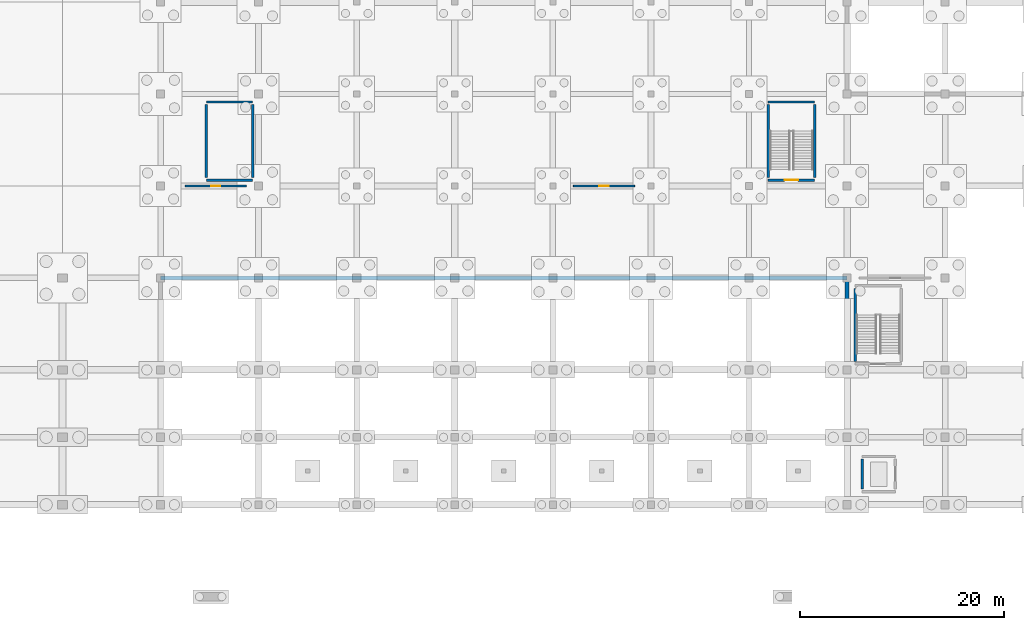
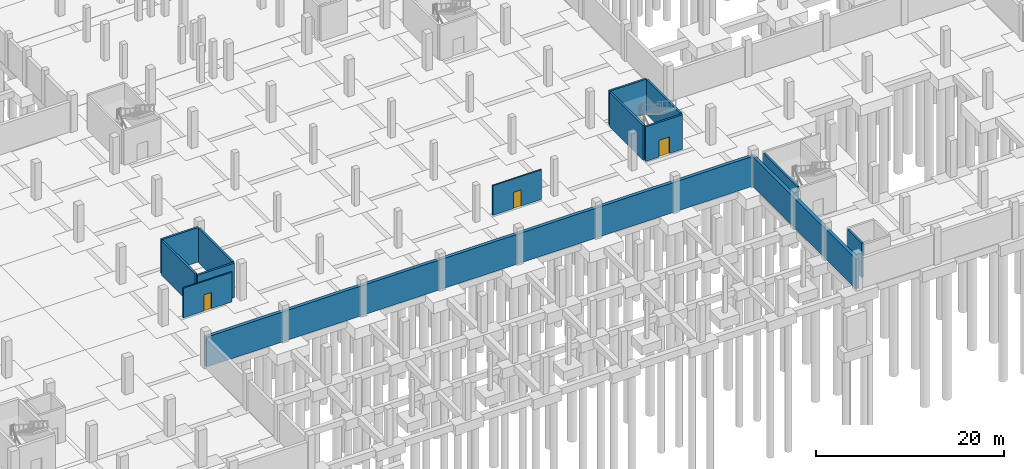
# One storey, part 27 of 39: 14 walls, 3 doors, 3 openings.
"""IFC4 building model written with IfcOpenShell, lengths in metres."""

from ifc_helpers import new_model, si_unit, direction, frame, frame_2d, origin, place, context, subcontext, project, spatial, rectangle, extrude, material, layer, layer_set, type_object, element, fill, save


model = new_model("IFC4")

# Units and contexts
model_context = context("Model", 3, precision=1e-05, world=origin(), true_north=direction((0.0, 1.0)))
body_context = subcontext(model_context, "Body", "Model", "MODEL_VIEW")
ifc_project = project(units=[si_unit("LENGTHUNIT", "METRE"), si_unit("AREAUNIT", "SQUARE_METRE"), si_unit("VOLUMEUNIT", "CUBIC_METRE"), si_unit("PLANEANGLEUNIT", "RADIAN"), si_unit("MASSUNIT", "GRAM", prefix="KILO")], contexts=[model_context])

# Site, building, storey
site_placement = place(None, origin())
site = spatial("IfcSite", under=ifc_project, at=site_placement, CompositionType="ELEMENT")
building_placement = place(site_placement, origin())
building = spatial("IfcBuilding", under=site, at=building_placement, Name="Zarnetskaya Central Station", CompositionType="ELEMENT")
storey_placement = place(building_placement, frame((0.0, 0.0, -4.800048828125)))
storey = spatial("IfcBuildingStorey", under=building, at=storey_placement, Name="B1", CompositionType="ELEMENT", Elevation=-4.800048828125)

# Wall, opening, door
ifc_material_1 = material(Name="Concrete C30/37", Category="concrete")
ifc_layer_1 = layer(ifc_material_1, 0.175048828125, Name="Concrete C30/37", Category="concrete")
ifc_layer_set_1 = layer_set([ifc_layer_1], Name="Concrete C30/37")
wall_type_1 = type_object("IfcWallType", Name="PART-PLNT-175", PredefinedType="PARTITIONING", material=ifc_layer_set_1)
wall_1_placement = place(storey_placement, frame((60.0, 31.199951171875, 0.0), z_axis=(0.0, 0.0, 1.0), x_axis=(1.0, 0.0, 0.0)))
wall_1 = element("IfcWall", 1, at=wall_1_placement, inside=storey, type_object=wall_type_1, Name="Interior partition IPRT-B1-0380", PredefinedType="PARTITIONING", context=body_context, shape_type="SweptSolid", body=[
    extrude(rectangle(XDim=6.0, YDim=0.175048828125, at=frame_2d((3.0, 0.0))), origin(), (0.0, 0.0, 1.0), 3.85009765625),
])
opening_1_placement = place(wall_1_placement, frame((2.5400390625, 0.0, 0.0)))
opening_1 = element("IfcOpeningElement", 2, at=opening_1_placement, cuts=wall_1, Name="Opening DR-09", PredefinedType="OPENING", context=body_context, shape_type="SweptSolid", body=[
    extrude(rectangle(XDim=0.919921875, YDim=2.10009765625, at=frame_2d((0.4599609375, 1.050048828125))), frame((0.0, 0.09765625, 0.0), z_axis=(0.0, -1.0, 0.0), x_axis=(1.0, 0.0, 0.0)), (0.0, 0.0, 1.0), 0.195068359375),
])
ifc_material_2 = material(Name="Anodised aluminium", Category="aluminium")
door_type_1 = type_object("IfcDoorType", Name="DR-INT-01", OperationType="NOTDEFINED", PredefinedType="DOOR", material=ifc_material_2)
door_1_placement = place(opening_1_placement, origin())
door_1 = element("IfcDoor", 3, at=door_1_placement, inside=storey, type_object=door_type_1, Name="District Heating and Chiller MEP Plant Room door", OperationType="SINGLE_SWING_RIGHT", OverallHeight=2.10009765625, OverallWidth=0.919921875, PredefinedType="DOOR", context=body_context, shape_type="SweptSolid", body=[
    extrude(rectangle(XDim=0.919921875, YDim=2.10009765625, at=frame_2d((0.4599609375, 1.050048828125))), frame((0.0, 0.02490234375, 0.0), z_axis=(0.0, -1.0, 0.0), x_axis=(1.0, 0.0, 0.0)), (0.0, 0.0, 1.0), 0.050048828125),
])
fill(opening_1, door_1)

wall_2_placement = place(storey_placement, frame((98.0, 31.199951171875, 0.0), z_axis=(0.0, 0.0, 1.0), x_axis=(1.0, 0.0, 0.0)))
wall_2 = element("IfcWall", 4, at=wall_2_placement, inside=storey, type_object=wall_type_1, Name="Interior partition IPRT-B1-0381", PredefinedType="PARTITIONING", context=body_context, shape_type="SweptSolid", body=[
    extrude(rectangle(XDim=6.0, YDim=0.175048828125, at=frame_2d((3.0, 0.0))), origin(), (0.0, 0.0, 1.0), 3.85009765625),
])
opening_2_placement = place(wall_2_placement, frame((2.52490234375, 0.0, 0.0)))
opening_2 = element("IfcOpeningElement", 5, at=opening_2_placement, cuts=wall_2, Name="Opening DR-16", PredefinedType="OPENING", context=body_context, shape_type="SweptSolid", body=[
    extrude(rectangle(XDim=0.949951171875, YDim=2.10009765625, at=frame_2d((0.47509765625, 1.050048828125))), frame((0.0, 0.09765625, 0.0), z_axis=(0.0, -1.0, 0.0), x_axis=(1.0, 0.0, 0.0)), (0.0, 0.0, 1.0), 0.195068359375),
])
door_type_2 = type_object("IfcDoorType", Name="DR-INT-02", OperationType="NOTDEFINED", PredefinedType="DOOR", material=ifc_material_2)
door_2_placement = place(opening_2_placement, origin())
door_2 = element("IfcDoor", 6, at=door_2_placement, inside=storey, type_object=door_type_2, Name="Sprinkler Pump and Fire Reserve Tank Plant Room door", OperationType="SINGLE_SWING_LEFT", OverallHeight=2.10009765625, OverallWidth=0.949951171875, PredefinedType="DOOR", context=body_context, shape_type="SweptSolid", body=[
    extrude(rectangle(XDim=0.949951171875, YDim=2.10009765625, at=frame_2d((0.47509765625, 1.050048828125))), frame((0.0, 0.02490234375, 0.0), z_axis=(0.0, -1.0, 0.0), x_axis=(1.0, 0.0, 0.0)), (0.0, 0.0, 1.0), 0.050048828125),
])
fill(opening_2, door_2)

# Walls
ifc_material_3 = material(Name="Concrete C35/45", Category="concrete")
ifc_layer_2 = layer(ifc_material_3, 0.39990234375, Name="Concrete C35/45", Category="concrete")
ifc_layer_set_2 = layer_set([ifc_layer_2], Name="Concrete C35/45")
wall_type_2 = type_object("IfcWallType", Name="WALL-RET-400", PredefinedType="USERDEFINED", material=ifc_layer_set_2)
wall_3_placement = place(storey_placement, frame((124.800048828125, 0.0, 0.0), z_axis=(0.0, 0.0, 1.0), x_axis=(0.0, 1.0, 0.0)))
element("IfcWall", 7, at=wall_3_placement, inside=storey, type_object=wall_type_2, Name="Basement perimeter retaining wall 11", ObjectType="RETAININGWALL", PredefinedType="USERDEFINED", context=body_context, shape_type="SweptSolid", body=[
    extrude(rectangle(XDim=22.199951171875, YDim=0.39990234375, at=frame_2d((11.10009765625, 0.0))), origin(), (0.0, 0.0, 1.0), 3.880126953125),
])
wall_4_placement = place(storey_placement, frame((124.800048828125, 22.199951171875, 0.0), z_axis=(0.0, 0.0, 1.0), x_axis=(-1.0, 0.0, 0.0)))
element("IfcWall", 8, at=wall_4_placement, inside=storey, type_object=wall_type_2, Name="Basement perimeter retaining wall 12", ObjectType="RETAININGWALL", PredefinedType="USERDEFINED", context=body_context, shape_type="SweptSolid", body=[
    extrude(rectangle(XDim=67.199951171875, YDim=0.39990234375, at=frame_2d((33.60009765625, 0.0))), origin(), (0.0, 0.0, 1.0), 3.880126953125),
])
ifc_layer_3 = layer(ifc_material_3, 0.239990234375, Name="Concrete C35/45", Category="concrete")
ifc_layer_set_3 = layer_set([ifc_layer_3], Name="Concrete C35/45")
wall_type_3 = type_object("IfcWallType", Name="WALL-SHFT-240", PredefinedType="SHEAR", material=ifc_layer_set_3)
wall_5_placement = place(storey_placement, frame((126.280029296875, 1.52001953125, 0.0), z_axis=(0.0, 0.0, 1.0), x_axis=(0.0, 1.0, 0.0)))
element("IfcWall", 9, at=wall_5_placement, inside=storey, type_object=wall_type_3, Name="Core shear wall WSHF-B1-0175", PredefinedType="SHEAR", context=body_context, shape_type="SweptSolid", body=[
    extrude(rectangle(XDim=2.9599609375, YDim=0.239990234375, at=frame_2d((1.47998046875, 0.0))), origin(), (0.0, 0.0, 1.0), 4.47998046875),
])
for number, where, z_axis, x_axis, name in (
    (10, (66.6201171875, 31.780029296875, 0.0), (0.0, 0.0, 1.0), (-1.0, 0.0, 0.0), "Core shear wall WSTR-B1-0269"),
    (11, (62.080078125, 39.419921875, 0.0), (0.0, 0.0, 1.0), (1.0, 0.0, 0.0), "Core shear wall WSTR-B1-0270"),
):
    element("IfcWall", number, at=place(storey_placement, frame(where, z_axis=z_axis, x_axis=x_axis)), inside=storey, type_object=wall_type_3, Name=name, PredefinedType="SHEAR", context=body_context, shape_type="SweptSolid", body=[
        extrude(rectangle(XDim=4.5400390625, YDim=0.239990234375, at=frame_2d((2.27001953125, 0.0))), origin(), (0.0, 0.0, 1.0), 4.47998046875),
    ])
for number, where, z_axis, x_axis, name in (
    (12, (62.080078125, 32.02001953125, 0.0), (0.0, 0.0, 1.0), (0.0, 1.0, 0.0), "Core shear wall WSTR-B1-0271"),
    (13, (66.6201171875, 39.179931640625, 0.0), (0.0, 0.0, 1.0), (0.0, -1.0, 0.0), "Core shear wall WSTR-B1-0272"),
    (14, (125.580078125, 14.02001953125, 0.0), (0.0, 0.0, 1.0), (0.0, 1.0, 0.0), "Core shear wall WSTR-B1-0287"),
):
    element("IfcWall", number, at=place(storey_placement, frame(where, z_axis=z_axis, x_axis=x_axis)), inside=storey, type_object=wall_type_3, Name=name, PredefinedType="SHEAR", context=body_context, shape_type="SweptSolid", body=[
        extrude(rectangle(XDim=7.159912109375, YDim=0.239990234375, at=frame_2d((3.580078125, 0.0))), origin(), (0.0, 0.0, 1.0), 4.47998046875),
    ])

# Wall, opening, door
wall_6_placement = place(storey_placement, frame((121.6201171875, 31.780029296875, 0.0), z_axis=(0.0, 0.0, 1.0), x_axis=(-1.0, 0.0, 0.0)))
wall_6 = element("IfcWall", 15, at=wall_6_placement, inside=storey, type_object=wall_type_3, Name="Core shear wall WSTR-B1-0329", PredefinedType="SHEAR", context=body_context, shape_type="SweptSolid", body=[
    extrude(rectangle(XDim=4.5400390625, YDim=0.239990234375, at=frame_2d((2.27001953125, 0.0))), origin(), (0.0, 0.0, 1.0), 4.47998046875),
])
opening_3_placement = place(wall_6_placement, frame((1.610107421875, 0.0, 0.0)))
opening_3 = element("IfcOpeningElement", 16, at=opening_3_placement, cuts=wall_6, Name="Opening DR-FD60", PredefinedType="OPENING", context=body_context, shape_type="SweptSolid", body=[
    extrude(rectangle(XDim=1.320068359375, YDim=2.14990234375, at=frame_2d((0.66015625, 1.074951171875))), frame((0.0, 0.1298828125, 0.0), z_axis=(0.0, -1.0, 0.0), x_axis=(1.0, 0.0, 0.0)), (0.0, 0.0, 1.0), 0.260009765625),
])
door_type_3 = type_object("IfcDoorType", Name="DR-FIRE-STAIR", OperationType="NOTDEFINED", PredefinedType="DOOR", material=ifc_material_2)
door_3_placement = place(opening_3_placement, origin())
door_3 = element("IfcDoor", 17, at=door_3_placement, inside=storey, type_object=door_type_3, Name="Protected exit stair door ST-E1 B1", OperationType="SINGLE_SWING_LEFT", OverallHeight=2.14990234375, OverallWidth=1.320068359375, PredefinedType="DOOR", context=body_context, shape_type="SweptSolid", body=[
    extrude(rectangle(XDim=1.320068359375, YDim=2.14990234375, at=frame_2d((0.66015625, 1.074951171875))), frame((0.0, 0.02490234375, 0.0), z_axis=(0.0, -1.0, 0.0), x_axis=(1.0, 0.0, 0.0)), (0.0, 0.0, 1.0), 0.050048828125),
])
fill(opening_3, door_3)

# Walls
wall_7_placement = place(storey_placement, frame((117.080078125, 39.419921875, 0.0), z_axis=(0.0, 0.0, 1.0), x_axis=(1.0, 0.0, 0.0)))
element("IfcWall", 18, at=wall_7_placement, inside=storey, type_object=wall_type_3, Name="Core shear wall WSTR-B1-0330", PredefinedType="SHEAR", context=body_context, shape_type="SweptSolid", body=[
    extrude(rectangle(XDim=4.5400390625, YDim=0.239990234375, at=frame_2d((2.27001953125, 0.0))), origin(), (0.0, 0.0, 1.0), 4.47998046875),
])
for number, where, z_axis, x_axis, name in (
    (19, (117.080078125, 32.02001953125, 0.0), (0.0, 0.0, 1.0), (0.0, 1.0, 0.0), "Core shear wall WSTR-B1-0331"),
    (20, (121.6201171875, 39.179931640625, 0.0), (0.0, 0.0, 1.0), (0.0, -1.0, 0.0), "Core shear wall WSTR-B1-0332"),
):
    element("IfcWall", number, at=place(storey_placement, frame(where, z_axis=z_axis, x_axis=x_axis)), inside=storey, type_object=wall_type_3, Name=name, PredefinedType="SHEAR", context=body_context, shape_type="SweptSolid", body=[
        extrude(rectangle(XDim=7.159912109375, YDim=0.239990234375, at=frame_2d((3.580078125, 0.0))), origin(), (0.0, 0.0, 1.0), 4.47998046875),
    ])

save(model, "model.ifc")
